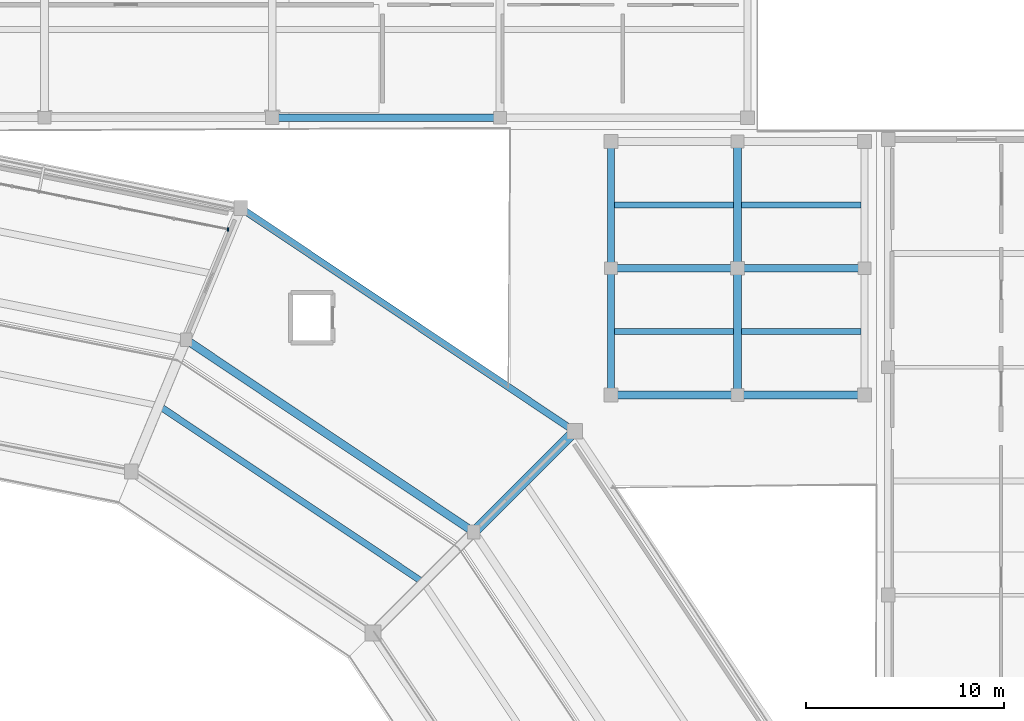
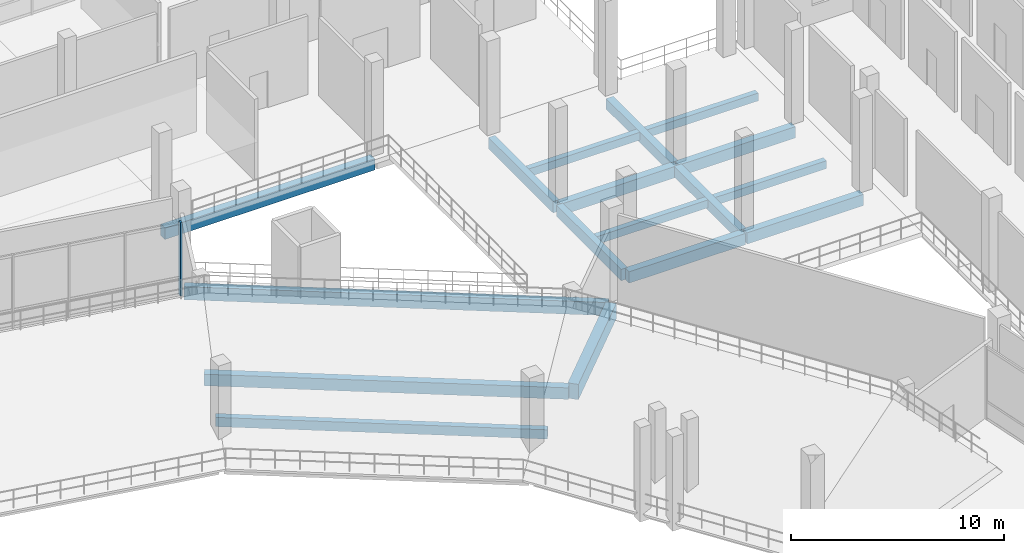
# One storey, part 57 of 127: 17 beams, 1 member, 1 element without a shape of its own.
"""IFC4 building model written with IfcOpenShell, lengths in metres."""

from ifc_helpers import new_model, si_unit, direction, frame, origin, origin_2d, place, context, subcontext, project, spatial, rectangle, extrude, material, material_profile, profile_set, type_object, element, aggregate, save


model = new_model("IFC4")

# Units and contexts
model_context = context("Model", 3, precision=1e-05, world=origin(), true_north=direction((0.0, 1.0)))
body_context = subcontext(model_context, "Body", "Model", "MODEL_VIEW")
ifc_project = project(units=[si_unit("LENGTHUNIT", "METRE"), si_unit("AREAUNIT", "SQUARE_METRE"), si_unit("VOLUMEUNIT", "CUBIC_METRE"), si_unit("PLANEANGLEUNIT", "RADIAN"), si_unit("MASSUNIT", "GRAM", prefix="KILO")], contexts=[model_context])

# Site, building, storey
site_placement = place(None, origin())
site = spatial("IfcSite", under=ifc_project, at=site_placement, CompositionType="ELEMENT")
building_placement = place(site_placement, origin())
building = spatial("IfcBuilding", under=site, at=building_placement, Name="Candeia Ridge Stadium", CompositionType="ELEMENT")
storey_placement = place(building_placement, frame((0.0, 0.0, 10.800048828125)))
storey = spatial("IfcBuildingStorey", under=building, at=storey_placement, Name="L02", CompositionType="ELEMENT", Elevation=10.800048828125)

# Curtain wall, member
ifc_material_1 = material(Name="Aluminium Anodized Warm Bronze", Category="aluminium")
curtain_wall_type = type_object("IfcCurtainWallType", Name="Concourse Recessed Unitised Curtain Wall", PredefinedType="NOTDEFINED", material=ifc_material_1)
curtain_wall_placement = place(storey_placement, origin())
curtain_wall = element("IfcCurtainWall", 1, at=curtain_wall_placement, inside=storey, type_object=curtain_wall_type, Name="Unitised curtain wall CW-BWL-L02-35", PredefinedType="NOTDEFINED")
ifc_material_profile_1 = material_profile(ifc_material_1, rectangle(XDim=0.090087890625, YDim=0.179931640625, at=origin_2d()), Name="CWM-90x180", Category="aluminium")
ifc_profile_set_1 = profile_set([ifc_material_profile_1], Name="Aluminium Anodized Warm Bronze")
member_type = type_object("IfcMemberType", Name="Curtain Wall Primary Mullion 90x180", PredefinedType="MULLION", material=ifc_profile_set_1)
member_placement = place(storey_placement, frame((160.263916015625, 141.96826171875, 0.0), z_axis=(0.0, 0.0, 1.0), x_axis=(1.0, 0.0, 0.0)))
member = element("IfcMember", 2, at=member_placement, type_object=member_type, Name="Curtain wall mullion CW-BWL-L02-35-M0", PredefinedType="MULLION", context=body_context, shape_type="SweptSolid", body=[
    extrude(rectangle(XDim=0.090087890625, YDim=0.179931640625, at=origin_2d()), origin(), (0.0, 0.0, 1.0), 4.21484375),
])
aggregate(curtain_wall, [member])

# Beams
ifc_material_2 = material(Name="Concrete C40/50", Category="concrete")
ifc_material_profile_2 = material_profile(ifc_material_2, rectangle(XDim=0.300048828125, YDim=0.449951171875, at=origin_2d()), Name="RC300x450", Category="concrete")
ifc_profile_set_2 = profile_set([ifc_material_profile_2], Name="Concrete C40/50")
beam_type_1 = type_object("IfcBeamType", Name="Floor Joist RC300x450", PredefinedType="JOIST", material=ifc_profile_set_2)
for number, where, z_axis, x_axis, name in (
    (3, (179.7744140625, 136.800048828125, -0.485107421875), (1.0, 0.0, 0.0), (0.0, 1.0, 0.0), "Wing secondary joist BM-L02-2269"),
    (4, (179.7744140625, 143.199951171875, -0.485107421875), (1.0, 0.0, 0.0), (0.0, 1.0, 0.0), "Wing secondary joist BM-L02-2271"),
    (5, (186.199462890625, 136.800048828125, -0.485107421875), (1.0, 0.0, 0.0), (0.0, 1.0, 0.0), "Wing secondary joist BM-L02-2274"),
    (6, (186.199462890625, 143.199951171875, -0.485107421875), (1.0, 0.0, 0.0), (0.0, 1.0, 0.0), "Wing secondary joist BM-L02-2276"),
):
    element("IfcBeam", number, at=place(storey_placement, frame(where, z_axis=z_axis, x_axis=x_axis)), inside=storey, type_object=beam_type_1, Name=name, PredefinedType="JOIST", context=body_context, shape_type="SweptSolid", body=[
        extrude(rectangle(XDim=0.300048828125, YDim=0.449951171875, at=origin_2d()), origin(), (0.0, 0.0, 1.0), 6.026123046875),
    ])
ifc_material_profile_3 = material_profile(ifc_material_2, rectangle(XDim=0.330078125, YDim=0.530029296875, at=origin_2d()), Name="RC330x530", Category="concrete")
ifc_profile_set_3 = profile_set([ifc_material_profile_3], Name="Concrete C40/50")
beam_type_2 = type_object("IfcBeamType", Name="Floor Joist RC330x530", PredefinedType="JOIST", material=ifc_profile_set_3)
beam_1_placement = place(storey_placement, frame((169.9482421875, 124.256103515625, -0.525146484375), z_axis=(-0.831470752017, 0.555568527312, 0.0), x_axis=(-0.555568527312, -0.831470752017, 0.0)))
element("IfcBeam", 7, at=beam_1_placement, inside=storey, type_object=beam_type_2, Name="Concourse secondary joist BM-L02-0475", PredefinedType="JOIST", context=body_context, shape_type="SweptSolid", body=[
    extrude(rectangle(XDim=0.330078125, YDim=0.530029296875, at=origin_2d()), origin(), (0.0, 0.0, 1.0), 15.63134765625),
])
ifc_material_profile_4 = material_profile(ifc_material_2, rectangle(XDim=0.39990234375, YDim=0.60009765625, at=origin_2d()), Name="RC400x600", Category="concrete")
ifc_profile_set_4 = profile_set([ifc_material_profile_4], Name="Concrete C40/50")
beam_type_3 = type_object("IfcBeamType", Name="Frame Girder RC400x600", PredefinedType="BEAM", material=ifc_profile_set_4)
for number, where, z_axis, x_axis, name in (
    (8, (186.0, 133.760009765625, -0.56005859375), (0.0, 1.0, 0.0), (-1.0, 0.0, 0.0), "Structural girder BM-L02-2264"),
    (9, (186.0, 140.159912109375, -0.56005859375), (0.0, 1.0, 0.0), (-1.0, 0.0, 0.0), "Structural girder BM-L02-2265"),
):
    element("IfcBeam", number, at=place(storey_placement, frame(where, z_axis=z_axis, x_axis=x_axis)), inside=storey, type_object=beam_type_3, Name=name, PredefinedType="BEAM", context=body_context, shape_type="SweptSolid", body=[
        extrude(rectangle(XDim=0.39990234375, YDim=0.60009765625, at=origin_2d()), origin(), (0.0, 0.0, 1.0), 6.080078125),
    ])
ifc_material_profile_5 = material_profile(ifc_material_2, rectangle(XDim=0.409912109375, YDim=0.659912109375, at=origin_2d()), Name="RC410x660", Category="concrete")
ifc_profile_set_5 = profile_set([ifc_material_profile_5], Name="Concrete C40/50")
beam_type_4 = type_object("IfcBeamType", Name="Frame Girder RC410x660", PredefinedType="BEAM", material=ifc_profile_set_5)
beam_2_placement = place(storey_placement, frame((172.54541015625, 126.767333984375, -0.590087890625), z_axis=(-0.831467614091, 0.555573223542, 0.0), x_axis=(-0.555573223542, -0.831467614091, 0.0)))
element("IfcBeam", 10, at=beam_2_placement, inside=storey, type_object=beam_type_4, Name="Concourse spine girder BM-L02-0473", PredefinedType="BEAM", context=body_context, shape_type="SweptSolid", body=[
    extrude(rectangle(XDim=0.409912109375, YDim=0.659912109375, at=origin_2d()), origin(), (0.0, 0.0, 1.0), 17.16015625),
])
ifc_material_3 = material(Name="Concrete C45/55", Category="concrete")
ifc_material_profile_6 = material_profile(ifc_material_3, rectangle(XDim=0.52001953125, YDim=0.8798828125, at=origin_2d()), Name="RC520x880", Category="concrete")
ifc_profile_set_6 = profile_set([ifc_material_profile_6], Name="Concrete C45/55")
beam_type_5 = type_object("IfcBeamType", Name="Frame Girder RC520x880", PredefinedType="BEAM", material=ifc_profile_set_6)
beam_3_placement = place(storey_placement, frame((172.79150390625, 126.79150390625, -0.699951171875), z_axis=(0.707106781187, 0.707106781187, 0.0), x_axis=(-0.707106781187, 0.707106781187, 0.0)))
element("IfcBeam", 11, at=beam_3_placement, inside=storey, type_object=beam_type_5, Name="Bowl radial girder BM-L02-0310", PredefinedType="BEAM", context=body_context, shape_type="SweptSolid", body=[
    extrude(rectangle(XDim=0.52001953125, YDim=0.8798828125, at=origin_2d()), origin(), (0.0, 0.0, 1.0), 6.880126953125),
])
ifc_material_profile_7 = material_profile(ifc_material_2, rectangle(XDim=0.35009765625, YDim=0.64990234375, at=origin_2d()), Name="RC350x650", Category="concrete")
ifc_profile_set_7 = profile_set([ifc_material_profile_7], Name="Concrete C40/50")
beam_type_6 = type_object("IfcBeamType", Name="Spandrel Beam RC350x650", PredefinedType="SPANDREL", material=ifc_profile_set_7)
for number, where, z_axis, x_axis, name in (
    (12, (179.60009765625, 133.760009765625, -0.5849609375), (0.0, 1.0, 0.0), (-1.0, 0.0, 0.0), "Structural girder BM-L02-2262"),
    (13, (179.60009765625, 140.159912109375, -0.5849609375), (0.0, 1.0, 0.0), (-1.0, 0.0, 0.0), "Structural girder BM-L02-2263"),
):
    element("IfcBeam", number, at=place(storey_placement, frame(where, z_axis=z_axis, x_axis=x_axis)), inside=storey, type_object=beam_type_6, Name=name, PredefinedType="SPANDREL", context=body_context, shape_type="SweptSolid", body=[
        extrude(rectangle(XDim=0.35009765625, YDim=0.64990234375, at=origin_2d()), origin(), (0.0, 0.0, 1.0), 6.080078125),
    ])
ifc_material_profile_8 = material_profile(ifc_material_3, rectangle(XDim=0.35009765625, YDim=0.75, at=origin_2d()), Name="RC350x750", Category="concrete")
ifc_profile_set_8 = profile_set([ifc_material_profile_8], Name="Concrete C45/55")
beam_type_7 = type_object("IfcBeamType", Name="Spandrel Beam RC350x750", PredefinedType="SPANDREL", material=ifc_profile_set_8)
beam_4_placement = place(storey_placement, frame((177.636474609375, 131.8583984375, -0.635009765625), z_axis=(-0.831468647505, 0.555571676938, 0.0), x_axis=(-0.555571676938, -0.831468647505, 0.0)))
element("IfcBeam", 14, at=beam_4_placement, inside=storey, type_object=beam_type_7, Name="Bowl perimeter spandrel BM-L02-0474", PredefinedType="SPANDREL", context=body_context, shape_type="SweptSolid", body=[
    extrude(rectangle(XDim=0.35009765625, YDim=0.75, at=origin_2d()), origin(), (0.0, 0.0, 1.0), 19.969482421875),
])
ifc_material_profile_9 = material_profile(ifc_material_2, rectangle(XDim=0.39990234375, YDim=0.64990234375, at=origin_2d()), Name="RC400x650", Category="concrete")
ifc_profile_set_9 = profile_set([ifc_material_profile_9], Name="Concrete C40/50")
beam_type_8 = type_object("IfcBeamType", Name="Wing Primary Girder RC400x650", PredefinedType="BEAM", material=ifc_profile_set_9)
beam_5_placement = place(storey_placement, frame((162.550048828125, 147.60009765625, -0.5849609375), z_axis=(1.0, 0.0, 0.0), x_axis=(0.0, 1.0, 0.0)))
element("IfcBeam", 15, at=beam_5_placement, inside=storey, type_object=beam_type_8, Name="Structural girder BM-L02-1766", PredefinedType="BEAM", context=body_context, shape_type="SweptSolid", body=[
    extrude(rectangle(XDim=0.39990234375, YDim=0.64990234375, at=origin_2d()), origin(), (0.0, 0.0, 1.0), 11.39990234375),
])
for number, where, z_axis, x_axis, name in (
    (16, (179.64990234375, 133.60009765625, -0.5849609375), (1.0, 0.0, 0.0), (0.0, 1.0, 0.0), "Structural girder BM-L02-2268"),
    (17, (179.64990234375, 140.0, -0.5849609375), (1.0, 0.0, 0.0), (0.0, 1.0, 0.0), "Structural girder BM-L02-2270"),
    (18, (186.050048828125, 133.60009765625, -0.5849609375), (1.0, 0.0, 0.0), (0.0, 1.0, 0.0), "Structural girder BM-L02-2273"),
    (19, (186.050048828125, 140.0, -0.5849609375), (1.0, 0.0, 0.0), (0.0, 1.0, 0.0), "Structural girder BM-L02-2275"),
):
    element("IfcBeam", number, at=place(storey_placement, frame(where, z_axis=z_axis, x_axis=x_axis)), inside=storey, type_object=beam_type_8, Name=name, PredefinedType="BEAM", context=body_context, shape_type="SweptSolid", body=[
        extrude(rectangle(XDim=0.39990234375, YDim=0.64990234375, at=origin_2d()), origin(), (0.0, 0.0, 1.0), 6.300048828125),
    ])

save(model, "model.ifc")
